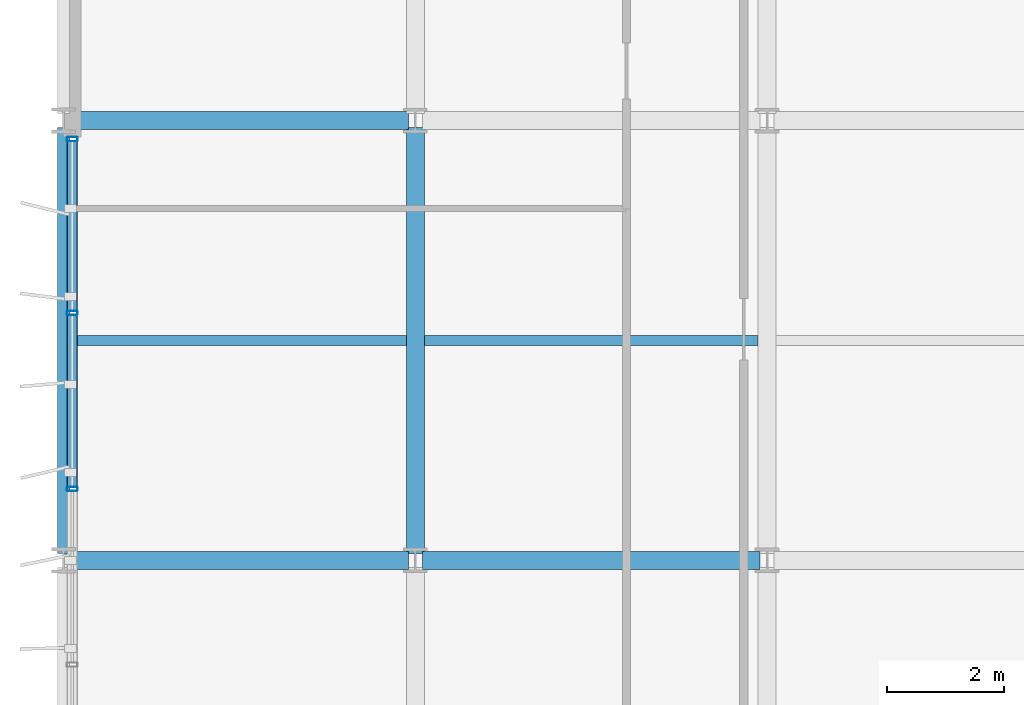
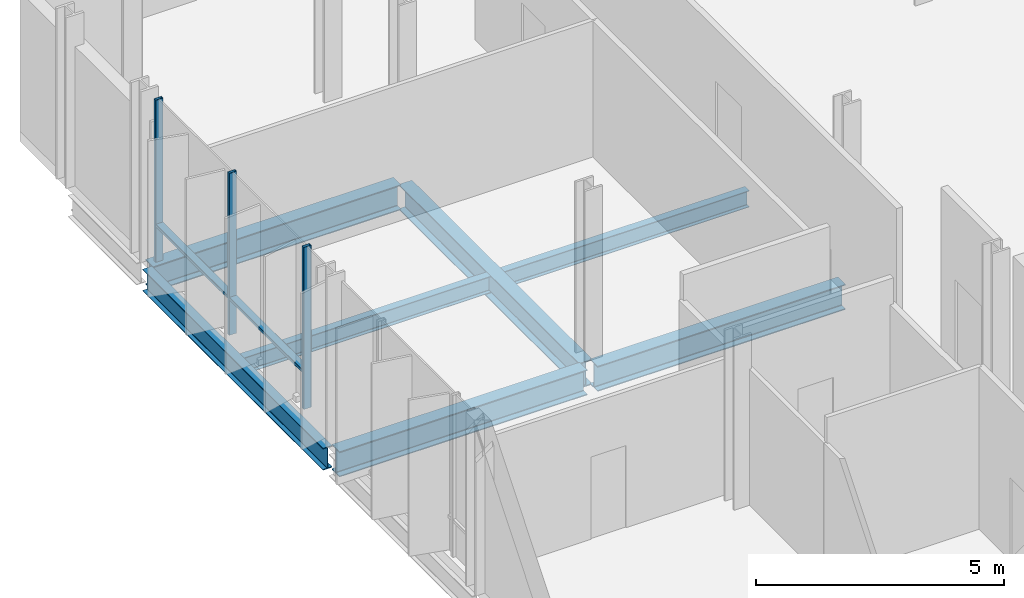
# One storey, part 5 of 32: 7 beams, 5 members, 1 element without a shape of its own.
"""IFC4 building model written with IfcOpenShell, lengths in metres."""

from ifc_helpers import new_model, si_unit, direction, frame, origin, origin_2d, place, context, subcontext, project, spatial, hollow_rectangle, i_section, extrude, material, layer, layer_set, material_profile, profile_set, type_object, element, aggregate, save


model = new_model("IFC4")

# Units and contexts
model_context = context("Model", 3, precision=1e-05, world=origin(), true_north=direction((0.0, 1.0)))
body_context = subcontext(model_context, "Body", "Model", "MODEL_VIEW")
ifc_project = project(units=[si_unit("LENGTHUNIT", "METRE"), si_unit("AREAUNIT", "SQUARE_METRE"), si_unit("VOLUMEUNIT", "CUBIC_METRE"), si_unit("PLANEANGLEUNIT", "RADIAN"), si_unit("MASSUNIT", "GRAM", prefix="KILO")], contexts=[model_context])

# Site, building, storey
site_placement = place(None, origin())
site = spatial("IfcSite", under=ifc_project, at=site_placement, CompositionType="ELEMENT")
building_placement = place(site_placement, origin())
building = spatial("IfcBuilding", under=site, at=building_placement, Name="Brevholm Reach", CompositionType="ELEMENT")
storey_placement = place(building_placement, frame((0.0, 0.0, 134.5)))
storey = spatial("IfcBuildingStorey", under=building, at=storey_placement, Name="L40", CompositionType="ELEMENT", Elevation=134.5)

# Beams
ifc_material_1 = material(Name="Structural Steel S355J2", Category="steel")
ifc_material_profile_1 = material_profile(ifc_material_1, i_section(OverallWidth=0.177978515625, OverallDepth=0.406494140625, WebThickness=0.0078125, FlangeThickness=0.0126953125, FilletRadius=0.01025390625, at=origin_2d()), Name="UKB 406x178x60")
ifc_profile_set_1 = profile_set([ifc_material_profile_1], Name="Structural Steel S355J2")
beam_type_1 = type_object("IfcBeamType", Name="BM-B406", PredefinedType="BEAM", material=ifc_profile_set_1)
beam_1_placement = place(storey_placement, frame((0.10546875, 19.75, -0.453125), z_axis=(1.0, 0.0, 0.0), x_axis=(0.0, 1.0, 0.0)))
element("IfcBeam", 1, at=beam_1_placement, inside=storey, type_object=beam_type_1, Name="L40 Composite Secondary Floor Beam", PredefinedType="BEAM", context=body_context, shape_type="SweptSolid", body=[
    extrude(i_section(OverallWidth=0.177978515625, OverallDepth=0.406494140625, WebThickness=0.0078125, FlangeThickness=0.0126953125, FilletRadius=0.01025390625, at=origin_2d()), origin(), (0.0, 0.0, 1.0), 5.740966796875),
])
beam_2_placement = place(storey_placement, frame((6.153564453125, 19.75, -0.453125), z_axis=(1.0, 0.0, 0.0), x_axis=(0.0, 1.0, 0.0)))
element("IfcBeam", 2, at=beam_2_placement, inside=storey, type_object=beam_type_1, Name="L40 Composite Secondary Floor Beam", PredefinedType="BEAM", context=body_context, shape_type="SweptSolid", body=[
    extrude(i_section(OverallWidth=0.177978515625, OverallDepth=0.406494140625, WebThickness=0.0078125, FlangeThickness=0.0126953125, FilletRadius=0.01025390625, at=origin_2d()), origin(), (0.0, 0.0, 1.0), 5.69287109375),
])
ifc_material_2 = material(Name="Structural Steel S355J2", Category="steel")
ifc_material_profile_2 = material_profile(ifc_material_2, i_section(OverallWidth=0.210693359375, OverallDepth=0.53955078125, WebThickness=0.01171875, FlangeThickness=0.018798828125, FilletRadius=0.0126953125, at=origin_2d()), Name="UKB 533x210x109")
ifc_profile_set_2 = profile_set([ifc_material_profile_2], Name="Structural Steel S355J2")
beam_type_2 = type_object("IfcBeamType", Name="BM-SP539", PredefinedType="SPANDREL", material=ifc_profile_set_2)
beam_3_placement = place(storey_placement, frame((0.0, 16.1201171875, -0.519775390625), z_axis=(0.0, 1.0, 0.0), x_axis=(-1.0, 0.0, 0.0)))
element("IfcBeam", 3, at=beam_3_placement, inside=storey, type_object=beam_type_2, Name="L40 SP-01B Framing Beam", PredefinedType="SPANDREL", context=body_context, shape_type="SweptSolid", body=[
    extrude(i_section(OverallWidth=0.210693359375, OverallDepth=0.53955078125, WebThickness=0.01171875, FlangeThickness=0.018798828125, FilletRadius=0.0126953125, at=origin_2d()), origin(), (0.0, 0.0, 1.0), 7.259765625),
])
ifc_material_3 = material(Name="Structural Steel S355J2", Category="steel")
ifc_material_profile_3 = material_profile(ifc_material_3, i_section(OverallWidth=0.30712890625, OverallDepth=0.6201171875, WebThickness=0.01416015625, FlangeThickness=0.023681640625, FilletRadius=0.0166015625, at=origin_2d()), Name="UKB 610x305x179")
ifc_profile_set_3 = profile_set([ifc_material_profile_3], Name="Structural Steel S355J2")
beam_type_3 = type_object("IfcBeamType", Name="BM-UKB610H", PredefinedType="USERDEFINED", material=ifc_profile_set_3)
for number, where, z_axis, x_axis, name in (
    (4, (0.1201171875, 16.0, -0.56005859375), (1.0, 0.0, 0.0), (0.0, 1.0, 0.0), "L40 G-06 Framing Beam"),
    (5, (6.1201171875, 16.0, -0.56005859375), (1.0, 0.0, 0.0), (0.0, 1.0, 0.0), "L40 G-06 Framing Beam"),
    (6, (0.1201171875, 23.5, -0.56005859375), (1.0, 0.0, 0.0), (0.0, 1.0, 0.0), "L40 G-06 Framing Beam"),
):
    element("IfcBeam", number, at=place(storey_placement, frame(where, z_axis=z_axis, x_axis=x_axis)), inside=storey, type_object=beam_type_3, Name=name, ObjectType="GIRDER", PredefinedType="USERDEFINED", context=body_context, shape_type="SweptSolid", body=[
        extrude(i_section(OverallWidth=0.30712890625, OverallDepth=0.6201171875, WebThickness=0.01416015625, FlangeThickness=0.023681640625, FilletRadius=0.0166015625, at=origin_2d()), origin(), (0.0, 0.0, 1.0), 5.759765625),
    ])
beam_4_placement = place(storey_placement, frame((6.0, 16.1201171875, -0.56005859375), z_axis=(0.0, 1.0, 0.0), x_axis=(-1.0, 0.0, 0.0)))
element("IfcBeam", 7, at=beam_4_placement, inside=storey, type_object=beam_type_3, Name="L40 G-06 Framing Beam", ObjectType="GIRDER", PredefinedType="USERDEFINED", context=body_context, shape_type="SweptSolid", body=[
    extrude(i_section(OverallWidth=0.30712890625, OverallDepth=0.6201171875, WebThickness=0.01416015625, FlangeThickness=0.023681640625, FilletRadius=0.0166015625, at=origin_2d()), origin(), (0.0, 0.0, 1.0), 7.259765625),
])

# Curtain wall, members
ifc_material_4 = material(Name="Dark Anodised Aluminium 6063-T6 and Solar-Control Glass", Category="aluminium")
ifc_layer = layer(ifc_material_4, 0.179931640625)
ifc_layer_set = layer_set([ifc_layer], Name="Dark Anodised Aluminium 6063-T6 and Solar-Control Glass")
curtain_wall_type = type_object("IfcCurtainWallType", Name="CW-05", PredefinedType="NOTDEFINED", material=ifc_layer_set)
curtain_wall_placement = place(storey_placement, origin())
curtain_wall = element("IfcCurtainWall", 8, at=curtain_wall_placement, inside=storey, type_object=curtain_wall_type, Name="L40 Curtain Wall CW-05", PredefinedType="NOTDEFINED")
ifc_material_5 = material(Name="Dark Anodised Aluminium 6063-T6", Category="aluminium")
ifc_material_profile_4 = material_profile(ifc_material_5, hollow_rectangle(XDim=0.074951171875, YDim=0.179931640625, WallThickness=0.006103515625, InnerFilletRadius=0.006103515625, OuterFilletRadius=0.011962890625, at=origin_2d()), Name="RHS 180x75x6")
ifc_profile_set_4 = profile_set([ifc_material_profile_4], Name="Dark Anodised Aluminium 6063-T6")
member_type_1 = type_object("IfcMemberType", Name="CWM-180", PredefinedType="MULLION", material=ifc_profile_set_4)
member_1_placement = place(storey_placement, frame((0.14990234375, 23.1826171875, 0.0), z_axis=(0.0, 0.0, 1.0), x_axis=(0.0, -1.0, 0.0)))
member_1 = element("IfcMember", 9, at=member_1_placement, type_object=member_type_1, Name="CM-180 Mullion 1", PredefinedType="MULLION", context=body_context, shape_type="SweptSolid", body=[
    extrude(hollow_rectangle(XDim=0.074951171875, YDim=0.179931640625, WallThickness=0.006103515625, InnerFilletRadius=0.006103515625, OuterFilletRadius=0.011962890625, at=origin_2d()), origin(), (0.0, 0.0, 1.0), 3.97998046875),
])
member_2_placement = place(storey_placement, frame((0.14990234375, 20.219970703125, 0.0), z_axis=(0.0, 0.0, 1.0), x_axis=(0.0, -1.0, 0.0)))
member_2 = element("IfcMember", 10, at=member_2_placement, type_object=member_type_1, Name="CM-180 Mullion 2", PredefinedType="MULLION", context=body_context, shape_type="SweptSolid", body=[
    extrude(hollow_rectangle(XDim=0.074951171875, YDim=0.179931640625, WallThickness=0.006103515625, InnerFilletRadius=0.006103515625, OuterFilletRadius=0.011962890625, at=origin_2d()), origin(), (0.0, 0.0, 1.0), 3.97998046875),
])
member_3_placement = place(storey_placement, frame((0.14990234375, 17.219970703125, 0.0), z_axis=(0.0, 0.0, 1.0), x_axis=(0.0, -1.0, 0.0)))
member_3 = element("IfcMember", 11, at=member_3_placement, type_object=member_type_1, Name="CM-180 Mullion 3", PredefinedType="MULLION", context=body_context, shape_type="SweptSolid", body=[
    extrude(hollow_rectangle(XDim=0.074951171875, YDim=0.179931640625, WallThickness=0.006103515625, InnerFilletRadius=0.006103515625, OuterFilletRadius=0.011962890625, at=origin_2d()), origin(), (0.0, 0.0, 1.0), 3.97998046875),
])
ifc_material_6 = material(Name="Dark Anodised Aluminium 6063-T6", Category="aluminium")
ifc_material_profile_5 = material_profile(ifc_material_6, hollow_rectangle(XDim=0.074951171875, YDim=0.179931640625, WallThickness=0.006103515625, InnerFilletRadius=0.006103515625, OuterFilletRadius=0.011962890625, at=origin_2d()), Name="RHS 180x75x6")
ifc_profile_set_5 = profile_set([ifc_material_profile_5], Name="Dark Anodised Aluminium 6063-T6")
member_type_2 = type_object("IfcMemberType", Name="CWT-180", PredefinedType="NOTDEFINED", material=ifc_profile_set_5)
member_4_placement = place(storey_placement, frame((0.14990234375, 23.14501953125, 0.89990234375), z_axis=(0.0, -1.0, 0.0), x_axis=(0.0, 0.0, 1.0)))
member_4 = element("IfcMember", 12, at=member_4_placement, type_object=member_type_2, Name="CT-180 Transom 1.1", ObjectType="TRANSOM", PredefinedType="USERDEFINED", context=body_context, shape_type="SweptSolid", body=[
    extrude(hollow_rectangle(XDim=0.074951171875, YDim=0.179931640625, WallThickness=0.006103515625, InnerFilletRadius=0.006103515625, OuterFilletRadius=0.011962890625, at=origin_2d()), origin(), (0.0, 0.0, 1.0), 2.887451171875),
])
member_5_placement = place(storey_placement, frame((0.14990234375, 20.1826171875, 0.89990234375), z_axis=(0.0, -1.0, 0.0), x_axis=(0.0, 0.0, 1.0)))
member_5 = element("IfcMember", 13, at=member_5_placement, type_object=member_type_2, Name="CT-180 Transom 2.1", ObjectType="TRANSOM", PredefinedType="USERDEFINED", context=body_context, shape_type="SweptSolid", body=[
    extrude(hollow_rectangle(XDim=0.074951171875, YDim=0.179931640625, WallThickness=0.006103515625, InnerFilletRadius=0.006103515625, OuterFilletRadius=0.011962890625, at=origin_2d()), origin(), (0.0, 0.0, 1.0), 2.925048828125),
])
aggregate(curtain_wall, [member_1, member_2, member_3, member_4, member_5])

save(model, "model.ifc")
